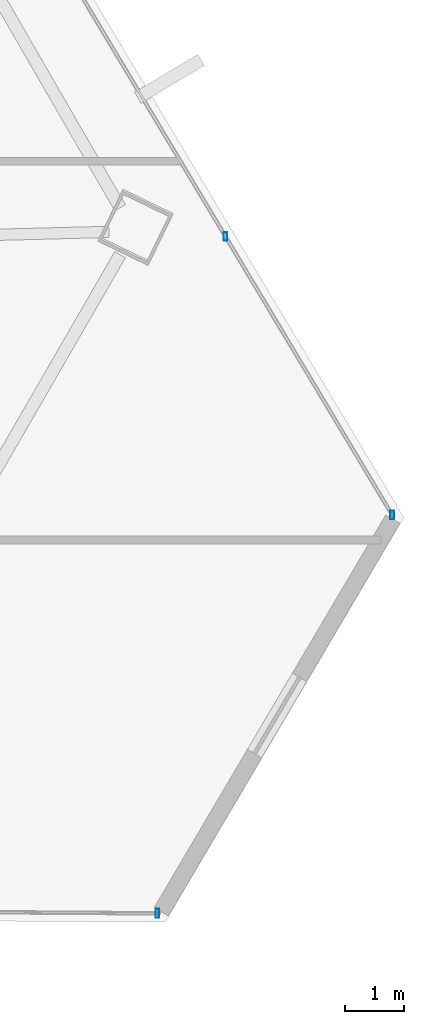
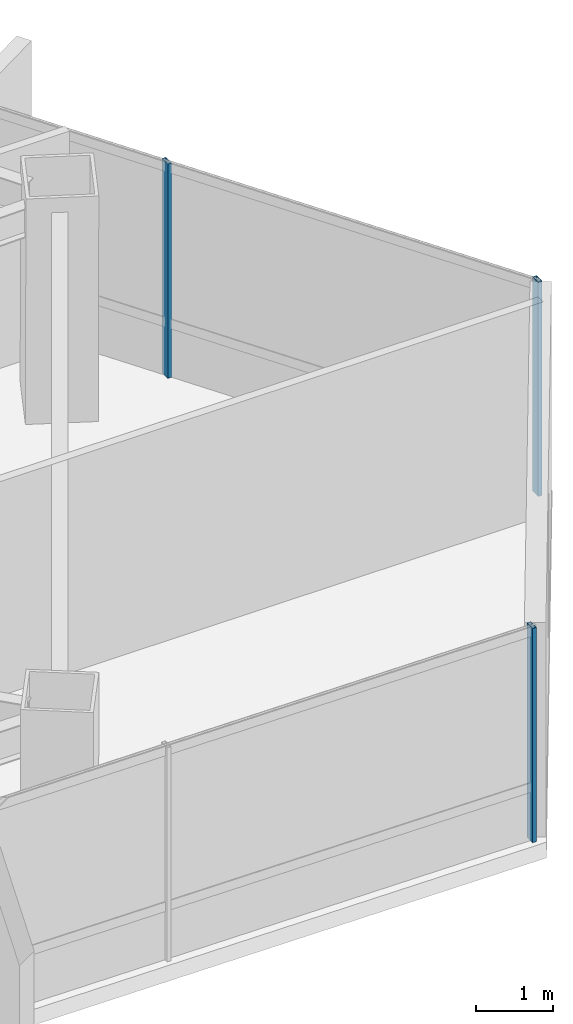
# One storey, part 21 of 41: 3 members, 2 elements without a shape of their own.
"""IFC4 building model written with IfcOpenShell, lengths in metres."""

from ifc_helpers import new_model, si_unit, direction, frame, origin, origin_2d, place, context, subcontext, project, spatial, hollow_rectangle, extrude, source, transform, mapped, material, material_profile, profile_set, type_object, type_shapes, element, aggregate, save


model = new_model("IFC4")

# Units and contexts
model_context = context("Model", 3, precision=1e-05, world=origin(), true_north=direction((0.0, 1.0)))
body_context = subcontext(model_context, "Body", "Model", "MODEL_VIEW")
ifc_project = project(units=[si_unit("LENGTHUNIT", "METRE"), si_unit("AREAUNIT", "SQUARE_METRE"), si_unit("VOLUMEUNIT", "CUBIC_METRE"), si_unit("PLANEANGLEUNIT", "RADIAN"), si_unit("MASSUNIT", "GRAM", prefix="KILO")], contexts=[model_context])

# Site, building, storey
site_placement = place(None, origin())
site = spatial("IfcSite", under=ifc_project, at=site_placement, CompositionType="ELEMENT")
building_placement = place(site_placement, origin())
building = spatial("IfcBuilding", under=site, at=building_placement, Name="Caelisora Broadcast Tower", CompositionType="ELEMENT")
storey_placement = place(building_placement, frame((0.0, 0.0, 169.449951171875)))
storey = spatial("IfcBuildingStorey", under=building, at=storey_placement, Name="L44", CompositionType="ELEMENT", Elevation=169.449951171875)

# Curtain wall, members
ifc_material_1 = material(Name="Unitised Aluminium and Low-E Glass Curtain Wall", Category="glass")
curtain_wall_type = type_object("IfcCurtainWallType", Name="CW-Z3", PredefinedType="NOTDEFINED", material=ifc_material_1)
curtain_wall_1_placement = place(storey_placement, origin())
curtain_wall_1 = element("IfcCurtainWall", 1, at=curtain_wall_1_placement, inside=storey, type_object=curtain_wall_type, Name="L44 curtain wall CW-Z3", PredefinedType="NOTDEFINED")
ifc_material_2 = material(Name="Aluminium 6063-T6 Anodised Terracotta Bronze", Category="aluminium")
ifc_material_profile = material_profile(ifc_material_2, hollow_rectangle(XDim=0.06005859375, YDim=0.14990234375, WallThickness=0.00341796875, at=origin_2d()), Name="Aluminium 6063-T6 Anodised Terracotta Bronze")
ifc_profile_set = profile_set([ifc_material_profile], Name="Aluminium 6063-T6 Anodised Terracotta Bronze")
member_type = type_object("IfcMemberType", Name="CWM-03", PredefinedType="MULLION", material=ifc_profile_set)
shared_shape = source(origin(), body_context, "Body", "SweptSolid", [
    extrude(hollow_rectangle(XDim=0.06005859375, YDim=0.14990234375, WallThickness=0.00341796875, at=origin_2d()), origin(), (0.0, 0.0, 1.0), 3.400146484375),
])
type_shapes(member_type, [shared_shape])
member_1_placement = place(storey_placement, frame((61.98583984375, 17.701904296875, 0.0), z_axis=(0.0, 0.0, 1.0), x_axis=(1.0, 0.0, 0.0)))
member_1 = element("IfcMember", 2, at=member_1_placement, type_object=member_type, Name="L44-CW-B03 mullion #2", PredefinedType="MULLION", context=body_context, shape_type="MappedRepresentation", body=[
    mapped(shared_shape, transform((0.0, 0.0, 0.0), scale=1.0)),
])
member_2_placement = place(storey_placement, frame((64.81640625, 12.973876953125, 0.0), z_axis=(0.0, 0.0, 1.0), x_axis=(1.0, 0.0, 0.0)))
member_2 = element("IfcMember", 3, at=member_2_placement, type_object=member_type, Name="L44-CW-B03 mullion #3", PredefinedType="MULLION", context=body_context, shape_type="MappedRepresentation", body=[
    mapped(shared_shape, transform((0.0, 0.0, 0.0), scale=1.0)),
])
aggregate(curtain_wall_1, [member_1, member_2])

# Curtain wall, member
curtain_wall_2_placement = place(storey_placement, origin())
curtain_wall_2 = element("IfcCurtainWall", 4, at=curtain_wall_2_placement, inside=storey, type_object=curtain_wall_type, Name="L44 curtain wall CW-Z3", PredefinedType="NOTDEFINED")
member_3_placement = place(storey_placement, frame((60.8310546875, 6.21533203125, 0.0), z_axis=(0.0, 0.0, 1.0), x_axis=(1.0, 0.0, 0.0)))
member_3 = element("IfcMember", 5, at=member_3_placement, type_object=member_type, Name="L44-CW-B05 mullion #0", PredefinedType="MULLION", context=body_context, shape_type="MappedRepresentation", body=[
    mapped(shared_shape, transform((0.0, 0.0, 0.0), scale=1.0)),
])
aggregate(curtain_wall_2, [member_3])

save(model, "model.ifc")
